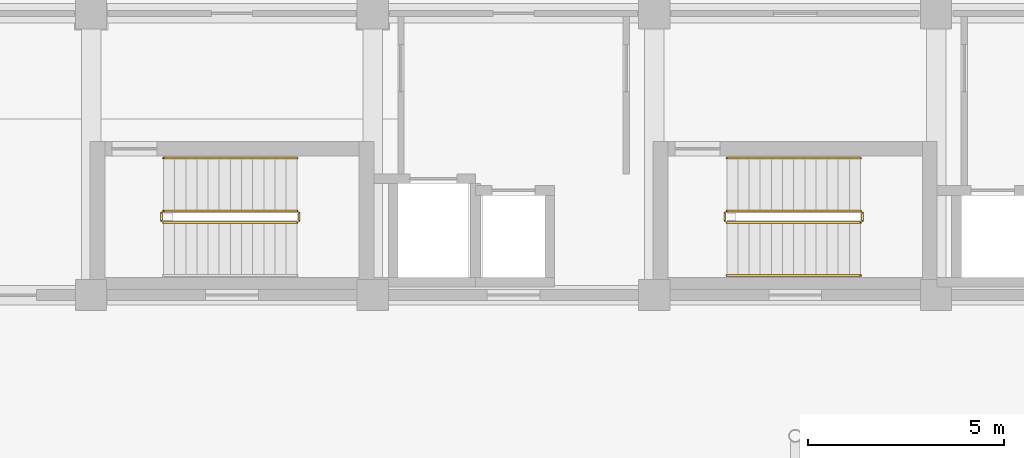
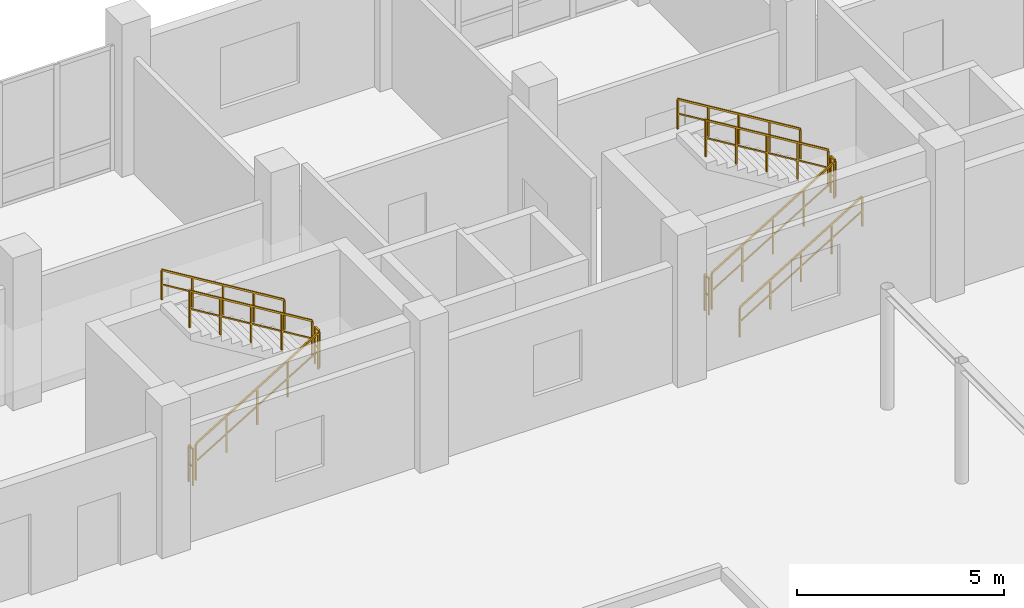
# One storey, part 134 of 139: 11 railings.
"""IFC4 building model written with IfcOpenShell, lengths in metres."""

from ifc_helpers import new_model, si_unit, direction, frame, origin, origin_2d, place, context, subcontext, project, spatial, rectangle, extrude, material, type_object, element, save


model = new_model("IFC4")

# Units and contexts
model_context = context("Model", 3, precision=1e-05, world=origin(), true_north=direction((0.0, 1.0)))
body_context = subcontext(model_context, "Body", "Model", "MODEL_VIEW")
ifc_project = project(units=[si_unit("LENGTHUNIT", "METRE"), si_unit("AREAUNIT", "SQUARE_METRE"), si_unit("VOLUMEUNIT", "CUBIC_METRE"), si_unit("PLANEANGLEUNIT", "RADIAN"), si_unit("MASSUNIT", "GRAM", prefix="KILO")], contexts=[model_context])

# Site, building, storey
site_placement = place(None, origin())
site = spatial("IfcSite", under=ifc_project, at=site_placement, CompositionType="ELEMENT")
building_placement = place(site_placement, origin())
building = spatial("IfcBuilding", under=site, at=building_placement, Name="Suanplinth Sawtooth Commons", CompositionType="ELEMENT")
storey_placement = place(building_placement, origin())
storey = spatial("IfcBuildingStorey", under=building, at=storey_placement, Name="L00", CompositionType="ELEMENT", Elevation=0.0)

# Railings
ifc_material = material(Name="Stainless steel Grade 304", Category="steel")
railing_type_1 = type_object("IfcRailingType", Name="GR-04", PredefinedType="GUARDRAIL", material=ifc_material)
railing_1_placement = place(storey_placement, frame((45.050048828125, 109.85009765625, 0.173095703125)))
element("IfcRailing", 1, at=railing_1_placement, inside=storey, type_object=railing_type_1, Name="L00 ST-N1 Guard 1", PredefinedType="GUARDRAIL", context=body_context, shape_type="SweptSolid", body=[
    extrude(rectangle(XDim=0.048095703125, YDim=0.048095703125, at=origin_2d()), frame((0.0, 0.0, 1.076171875), z_axis=(0.854729506542, 0.0, 0.519073665916), x_axis=(0.0, 1.0, 0.0)), (0.0, 0.0, 1.0), 4.001220703125),
    extrude(rectangle(XDim=0.03369140625, YDim=0.03369140625, at=origin_2d()), frame((0.0, 0.0, 0.550048828125), z_axis=(0.854729506542, 0.0, 0.519073665916), x_axis=(0.0, 1.0, 0.0)), (0.0, 0.0, 1.0), 4.001220703125),
    extrude(rectangle(XDim=0.0419921875, YDim=0.0419921875, at=origin_2d()), origin(), (0.0, 0.0, 1.0), 1.052001953125),
    extrude(rectangle(XDim=0.0419921875, YDim=0.0419921875, at=origin_2d()), frame((0.85498046875, 0.0, 0.519287109375)), (0.0, 0.0, 1.0), 1.052001953125),
    extrude(rectangle(XDim=0.0419921875, YDim=0.0419921875, at=origin_2d()), frame((1.7099609375, 0.0, 1.03857421875)), (0.0, 0.0, 1.0), 1.052001953125),
    extrude(rectangle(XDim=0.0419921875, YDim=0.0419921875, at=origin_2d()), frame((2.56494140625, 0.0, 1.5576171875)), (0.0, 0.0, 1.0), 1.052001953125),
    extrude(rectangle(XDim=0.0419921875, YDim=0.0419921875, at=origin_2d()), frame((3.419921875, 0.0, 2.076904296875)), (0.0, 0.0, 1.0), 1.052001953125),
])
railing_2_placement = place(storey_placement, frame((48.52001953125, 109.89990234375, 2.25)))
element("IfcRailing", 2, at=railing_2_placement, inside=storey, type_object=railing_type_1, Name="L00 ST-N1 Guard 2", PredefinedType="GUARDRAIL", context=body_context, shape_type="SweptSolid", body=[
    extrude(rectangle(XDim=0.048095703125, YDim=0.048095703125, at=origin_2d()), frame((0.0, 0.0, 1.076171875), z_axis=(0.0, 1.0, 0.0), x_axis=(-1.0, 0.0, 0.0)), (0.0, 0.0, 1.0), 0.2001953125),
    extrude(rectangle(XDim=0.03369140625, YDim=0.03369140625, at=origin_2d()), frame((0.0, 0.0, 0.550048828125), z_axis=(0.0, 1.0, 0.0), x_axis=(-1.0, 0.0, 0.0)), (0.0, 0.0, 1.0), 0.2001953125),
    extrude(rectangle(XDim=0.0419921875, YDim=0.0419921875, at=origin_2d()), origin(), (0.0, 0.0, 1.0), 1.052001953125),
    extrude(rectangle(XDim=0.0419921875, YDim=0.0419921875, at=origin_2d()), frame((0.0, 0.2001953125, 0.0)), (0.0, 0.0, 1.0), 1.052001953125),
])
railing_3_placement = place(storey_placement, frame((48.469970703125, 110.14990234375, 2.423095703125)))
element("IfcRailing", 3, at=railing_3_placement, inside=storey, type_object=railing_type_1, Name="L00 ST-N1 Guard 3", PredefinedType="GUARDRAIL", context=body_context, shape_type="SweptSolid", body=[
    extrude(rectangle(XDim=0.048095703125, YDim=0.048095703125, at=origin_2d()), frame((0.0, 0.0, 1.076171875), z_axis=(-0.854729506542, 0.0, 0.519073665916), x_axis=(0.0, -1.0, 0.0)), (0.0, 0.0, 1.0), 4.001220703125),
    extrude(rectangle(XDim=0.03369140625, YDim=0.03369140625, at=origin_2d()), frame((0.0, 0.0, 0.550048828125), z_axis=(-0.854729506542, 0.0, 0.519073665916), x_axis=(0.0, -1.0, 0.0)), (0.0, 0.0, 1.0), 4.001220703125),
    extrude(rectangle(XDim=0.0419921875, YDim=0.0419921875, at=origin_2d()), origin(), (0.0, 0.0, 1.0), 1.052001953125),
    extrude(rectangle(XDim=0.0419921875, YDim=0.0419921875, at=origin_2d()), frame((-0.85498046875, 0.0, 0.519287109375)), (0.0, 0.0, 1.0), 1.052001953125),
    extrude(rectangle(XDim=0.0419921875, YDim=0.0419921875, at=origin_2d()), frame((-1.7099609375, 0.0, 1.03857421875)), (0.0, 0.0, 1.0), 1.052001953125),
    extrude(rectangle(XDim=0.0419921875, YDim=0.0419921875, at=origin_2d()), frame((-2.56494140625, 0.0, 1.5576171875)), (0.0, 0.0, 1.0), 1.052001953125),
    extrude(rectangle(XDim=0.0419921875, YDim=0.0419921875, at=origin_2d()), frame((-3.419921875, 0.0, 2.076904296875)), (0.0, 0.0, 1.0), 1.052001953125),
])
railing_4_placement = place(storey_placement, frame((45.0, 109.89990234375, 0.0)))
element("IfcRailing", 4, at=railing_4_placement, inside=storey, type_object=railing_type_1, Name="L00 ST-N1 Guard 4", PredefinedType="GUARDRAIL", context=body_context, shape_type="SweptSolid", body=[
    extrude(rectangle(XDim=0.048095703125, YDim=0.048095703125, at=origin_2d()), frame((0.0, 0.0, 1.076171875), z_axis=(0.0, 1.0, 0.0), x_axis=(-1.0, 0.0, 0.0)), (0.0, 0.0, 1.0), 0.2001953125),
    extrude(rectangle(XDim=0.03369140625, YDim=0.03369140625, at=origin_2d()), frame((0.0, 0.0, 0.550048828125), z_axis=(0.0, 1.0, 0.0), x_axis=(-1.0, 0.0, 0.0)), (0.0, 0.0, 1.0), 0.2001953125),
    extrude(rectangle(XDim=0.0419921875, YDim=0.0419921875, at=origin_2d()), origin(), (0.0, 0.0, 1.0), 1.052001953125),
    extrude(rectangle(XDim=0.0419921875, YDim=0.0419921875, at=origin_2d()), frame((0.0, 0.2001953125, 0.0)), (0.0, 0.0, 1.0), 1.052001953125),
])
railing_5_placement = place(storey_placement, frame((59.449951171875, 109.85009765625, 0.173095703125)))
element("IfcRailing", 5, at=railing_5_placement, inside=storey, type_object=railing_type_1, Name="L00 ST-N2 Guard 1", PredefinedType="GUARDRAIL", context=body_context, shape_type="SweptSolid", body=[
    extrude(rectangle(XDim=0.048095703125, YDim=0.048095703125, at=origin_2d()), frame((0.0, 0.0, 1.076171875), z_axis=(0.854745945586, 0.0, 0.519046595696), x_axis=(0.0, 1.0, 0.0)), (0.0, 0.0, 1.0), 4.00146484375),
    extrude(rectangle(XDim=0.03369140625, YDim=0.03369140625, at=origin_2d()), frame((0.0, 0.0, 0.550048828125), z_axis=(0.854745945586, 0.0, 0.519046595696), x_axis=(0.0, 1.0, 0.0)), (0.0, 0.0, 1.0), 4.00146484375),
    extrude(rectangle(XDim=0.0419921875, YDim=0.0419921875, at=origin_2d()), origin(), (0.0, 0.0, 1.0), 1.052001953125),
    extrude(rectangle(XDim=0.0419921875, YDim=0.0419921875, at=origin_2d()), frame((0.85498046875, 0.0, 0.519287109375)), (0.0, 0.0, 1.0), 1.052001953125),
    extrude(rectangle(XDim=0.0419921875, YDim=0.0419921875, at=origin_2d()), frame((1.7099609375, 0.0, 1.03857421875)), (0.0, 0.0, 1.0), 1.052001953125),
    extrude(rectangle(XDim=0.0419921875, YDim=0.0419921875, at=origin_2d()), frame((2.565185546875, 0.0, 1.5576171875)), (0.0, 0.0, 1.0), 1.052001953125),
    extrude(rectangle(XDim=0.0419921875, YDim=0.0419921875, at=origin_2d()), frame((3.420166015625, 0.0, 2.076904296875)), (0.0, 0.0, 1.0), 1.052001953125),
])
railing_6_placement = place(storey_placement, frame((62.919921875, 109.89990234375, 2.25)))
element("IfcRailing", 6, at=railing_6_placement, inside=storey, type_object=railing_type_1, Name="L00 ST-N2 Guard 2", PredefinedType="GUARDRAIL", context=body_context, shape_type="SweptSolid", body=[
    extrude(rectangle(XDim=0.048095703125, YDim=0.048095703125, at=origin_2d()), frame((0.0, 0.0, 1.076171875), z_axis=(0.0, 1.0, 0.0), x_axis=(-1.0, 0.0, 0.0)), (0.0, 0.0, 1.0), 0.2001953125),
    extrude(rectangle(XDim=0.03369140625, YDim=0.03369140625, at=origin_2d()), frame((0.0, 0.0, 0.550048828125), z_axis=(0.0, 1.0, 0.0), x_axis=(-1.0, 0.0, 0.0)), (0.0, 0.0, 1.0), 0.2001953125),
    extrude(rectangle(XDim=0.0419921875, YDim=0.0419921875, at=origin_2d()), origin(), (0.0, 0.0, 1.0), 1.052001953125),
    extrude(rectangle(XDim=0.0419921875, YDim=0.0419921875, at=origin_2d()), frame((0.0, 0.2001953125, 0.0)), (0.0, 0.0, 1.0), 1.052001953125),
])
railing_7_placement = place(storey_placement, frame((62.8701171875, 110.14990234375, 2.423095703125)))
element("IfcRailing", 7, at=railing_7_placement, inside=storey, type_object=railing_type_1, Name="L00 ST-N2 Guard 3", PredefinedType="GUARDRAIL", context=body_context, shape_type="SweptSolid", body=[
    extrude(rectangle(XDim=0.048095703125, YDim=0.048095703125, at=origin_2d()), frame((0.0, 0.0, 1.076171875), z_axis=(-0.854745945586, 0.0, 0.519046595696), x_axis=(0.0, -1.0, 0.0)), (0.0, 0.0, 1.0), 4.00146484375),
    extrude(rectangle(XDim=0.03369140625, YDim=0.03369140625, at=origin_2d()), frame((0.0, 0.0, 0.550048828125), z_axis=(-0.854745945586, 0.0, 0.519046595696), x_axis=(0.0, -1.0, 0.0)), (0.0, 0.0, 1.0), 4.00146484375),
    extrude(rectangle(XDim=0.0419921875, YDim=0.0419921875, at=origin_2d()), origin(), (0.0, 0.0, 1.0), 1.052001953125),
    extrude(rectangle(XDim=0.0419921875, YDim=0.0419921875, at=origin_2d()), frame((-0.85498046875, 0.0, 0.519287109375)), (0.0, 0.0, 1.0), 1.052001953125),
    extrude(rectangle(XDim=0.0419921875, YDim=0.0419921875, at=origin_2d()), frame((-1.7099609375, 0.0, 1.03857421875)), (0.0, 0.0, 1.0), 1.052001953125),
    extrude(rectangle(XDim=0.0419921875, YDim=0.0419921875, at=origin_2d()), frame((-2.565185546875, 0.0, 1.5576171875)), (0.0, 0.0, 1.0), 1.052001953125),
    extrude(rectangle(XDim=0.0419921875, YDim=0.0419921875, at=origin_2d()), frame((-3.420166015625, 0.0, 2.076904296875)), (0.0, 0.0, 1.0), 1.052001953125),
])
railing_8_placement = place(storey_placement, frame((59.39990234375, 109.89990234375, 0.0)))
element("IfcRailing", 8, at=railing_8_placement, inside=storey, type_object=railing_type_1, Name="L00 ST-N2 Guard 4", PredefinedType="GUARDRAIL", context=body_context, shape_type="SweptSolid", body=[
    extrude(rectangle(XDim=0.048095703125, YDim=0.048095703125, at=origin_2d()), frame((0.0, 0.0, 1.076171875), z_axis=(0.0, 1.0, 0.0), x_axis=(-1.0, 0.0, 0.0)), (0.0, 0.0, 1.0), 0.2001953125),
    extrude(rectangle(XDim=0.03369140625, YDim=0.03369140625, at=origin_2d()), frame((0.0, 0.0, 0.550048828125), z_axis=(0.0, 1.0, 0.0), x_axis=(-1.0, 0.0, 0.0)), (0.0, 0.0, 1.0), 0.2001953125),
    extrude(rectangle(XDim=0.0419921875, YDim=0.0419921875, at=origin_2d()), origin(), (0.0, 0.0, 1.0), 1.052001953125),
    extrude(rectangle(XDim=0.0419921875, YDim=0.0419921875, at=origin_2d()), frame((0.0, 0.2001953125, 0.0)), (0.0, 0.0, 1.0), 1.052001953125),
])
railing_type_2 = type_object("IfcRailingType", Name="HR-01", PredefinedType="HANDRAIL", material=ifc_material)
railing_9_placement = place(storey_placement, frame((48.469970703125, 111.5, 2.423095703125)))
element("IfcRailing", 9, at=railing_9_placement, inside=storey, type_object=railing_type_2, Name="L00 ST-N1 Handrail 2", PredefinedType="HANDRAIL", context=body_context, shape_type="SweptSolid", body=[
    extrude(rectangle(XDim=0.048095703125, YDim=0.048095703125, at=origin_2d()), frame((0.0, 0.0, 0.8759765625), z_axis=(-0.854729506542, 0.0, 0.519073665916), x_axis=(0.0, -1.0, 0.0)), (0.0, 0.0, 1.0), 4.001220703125),
    extrude(rectangle(XDim=0.03369140625, YDim=0.03369140625, at=origin_2d()), frame((0.0, 0.0, 0.449951171875), z_axis=(-0.854729506542, 0.0, 0.519073665916), x_axis=(0.0, -1.0, 0.0)), (0.0, 0.0, 1.0), 4.001220703125),
    extrude(rectangle(XDim=0.0419921875, YDim=0.0419921875, at=origin_2d()), origin(), (0.0, 0.0, 1.0), 0.851806640625),
    extrude(rectangle(XDim=0.0419921875, YDim=0.0419921875, at=origin_2d()), frame((-0.85498046875, 0.0, 0.519287109375)), (0.0, 0.0, 1.0), 0.851806640625),
    extrude(rectangle(XDim=0.0419921875, YDim=0.0419921875, at=origin_2d()), frame((-1.7099609375, 0.0, 1.03857421875)), (0.0, 0.0, 1.0), 0.851806640625),
    extrude(rectangle(XDim=0.0419921875, YDim=0.0419921875, at=origin_2d()), frame((-2.56494140625, 0.0, 1.5576171875)), (0.0, 0.0, 1.0), 0.851806640625),
    extrude(rectangle(XDim=0.0419921875, YDim=0.0419921875, at=origin_2d()), frame((-3.419921875, 0.0, 2.076904296875)), (0.0, 0.0, 1.0), 0.851806640625),
])
railing_10_placement = place(storey_placement, frame((59.449951171875, 108.5, 0.173095703125)))
element("IfcRailing", 10, at=railing_10_placement, inside=storey, type_object=railing_type_2, Name="L00 ST-N2 Handrail 1", PredefinedType="HANDRAIL", context=body_context, shape_type="SweptSolid", body=[
    extrude(rectangle(XDim=0.048095703125, YDim=0.048095703125, at=origin_2d()), frame((0.0, 0.0, 0.8759765625), z_axis=(0.854745945586, 0.0, 0.519046595696), x_axis=(0.0, 1.0, 0.0)), (0.0, 0.0, 1.0), 4.00146484375),
    extrude(rectangle(XDim=0.03369140625, YDim=0.03369140625, at=origin_2d()), frame((0.0, 0.0, 0.449951171875), z_axis=(0.854745945586, 0.0, 0.519046595696), x_axis=(0.0, 1.0, 0.0)), (0.0, 0.0, 1.0), 4.00146484375),
    extrude(rectangle(XDim=0.0419921875, YDim=0.0419921875, at=origin_2d()), origin(), (0.0, 0.0, 1.0), 0.851806640625),
    extrude(rectangle(XDim=0.0419921875, YDim=0.0419921875, at=origin_2d()), frame((0.85498046875, 0.0, 0.519287109375)), (0.0, 0.0, 1.0), 0.851806640625),
    extrude(rectangle(XDim=0.0419921875, YDim=0.0419921875, at=origin_2d()), frame((1.7099609375, 0.0, 1.03857421875)), (0.0, 0.0, 1.0), 0.851806640625),
    extrude(rectangle(XDim=0.0419921875, YDim=0.0419921875, at=origin_2d()), frame((2.565185546875, 0.0, 1.5576171875)), (0.0, 0.0, 1.0), 0.851806640625),
    extrude(rectangle(XDim=0.0419921875, YDim=0.0419921875, at=origin_2d()), frame((3.420166015625, 0.0, 2.076904296875)), (0.0, 0.0, 1.0), 0.851806640625),
])
railing_11_placement = place(storey_placement, frame((62.8701171875, 111.5, 2.423095703125)))
element("IfcRailing", 11, at=railing_11_placement, inside=storey, type_object=railing_type_2, Name="L00 ST-N2 Handrail 2", PredefinedType="HANDRAIL", context=body_context, shape_type="SweptSolid", body=[
    extrude(rectangle(XDim=0.048095703125, YDim=0.048095703125, at=origin_2d()), frame((0.0, 0.0, 0.8759765625), z_axis=(-0.854745945586, 0.0, 0.519046595696), x_axis=(0.0, -1.0, 0.0)), (0.0, 0.0, 1.0), 4.00146484375),
    extrude(rectangle(XDim=0.03369140625, YDim=0.03369140625, at=origin_2d()), frame((0.0, 0.0, 0.449951171875), z_axis=(-0.854745945586, 0.0, 0.519046595696), x_axis=(0.0, -1.0, 0.0)), (0.0, 0.0, 1.0), 4.00146484375),
    extrude(rectangle(XDim=0.0419921875, YDim=0.0419921875, at=origin_2d()), origin(), (0.0, 0.0, 1.0), 0.851806640625),
    extrude(rectangle(XDim=0.0419921875, YDim=0.0419921875, at=origin_2d()), frame((-0.85498046875, 0.0, 0.519287109375)), (0.0, 0.0, 1.0), 0.851806640625),
    extrude(rectangle(XDim=0.0419921875, YDim=0.0419921875, at=origin_2d()), frame((-1.7099609375, 0.0, 1.03857421875)), (0.0, 0.0, 1.0), 0.851806640625),
    extrude(rectangle(XDim=0.0419921875, YDim=0.0419921875, at=origin_2d()), frame((-2.565185546875, 0.0, 1.5576171875)), (0.0, 0.0, 1.0), 0.851806640625),
    extrude(rectangle(XDim=0.0419921875, YDim=0.0419921875, at=origin_2d()), frame((-3.420166015625, 0.0, 2.076904296875)), (0.0, 0.0, 1.0), 0.851806640625),
])

save(model, "model.ifc")
